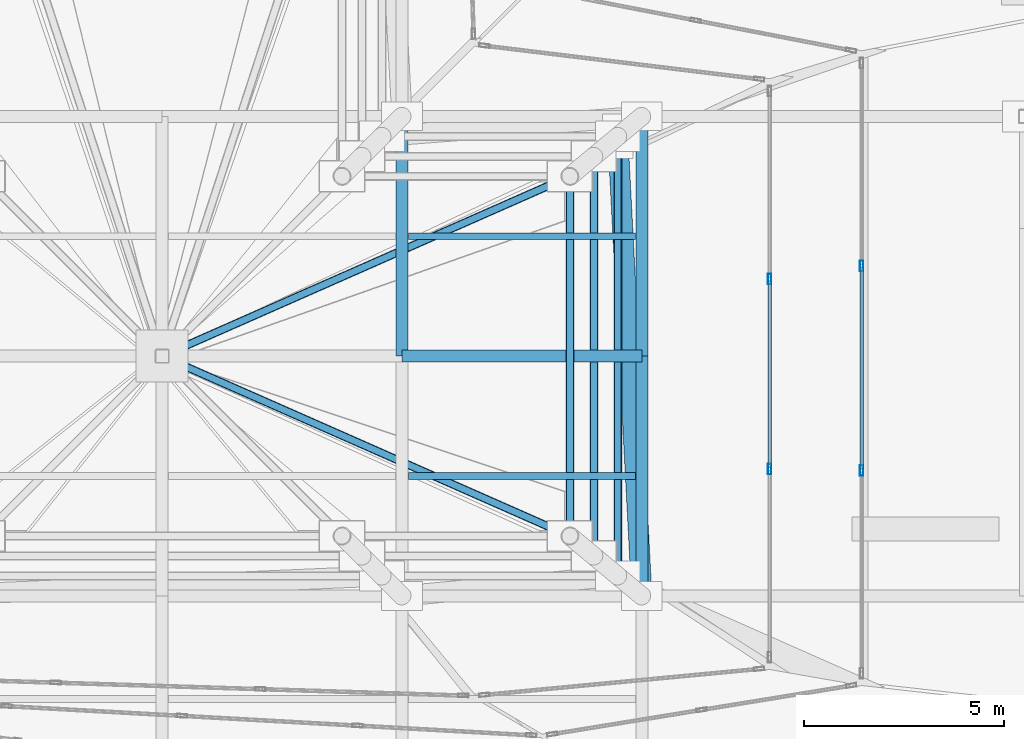
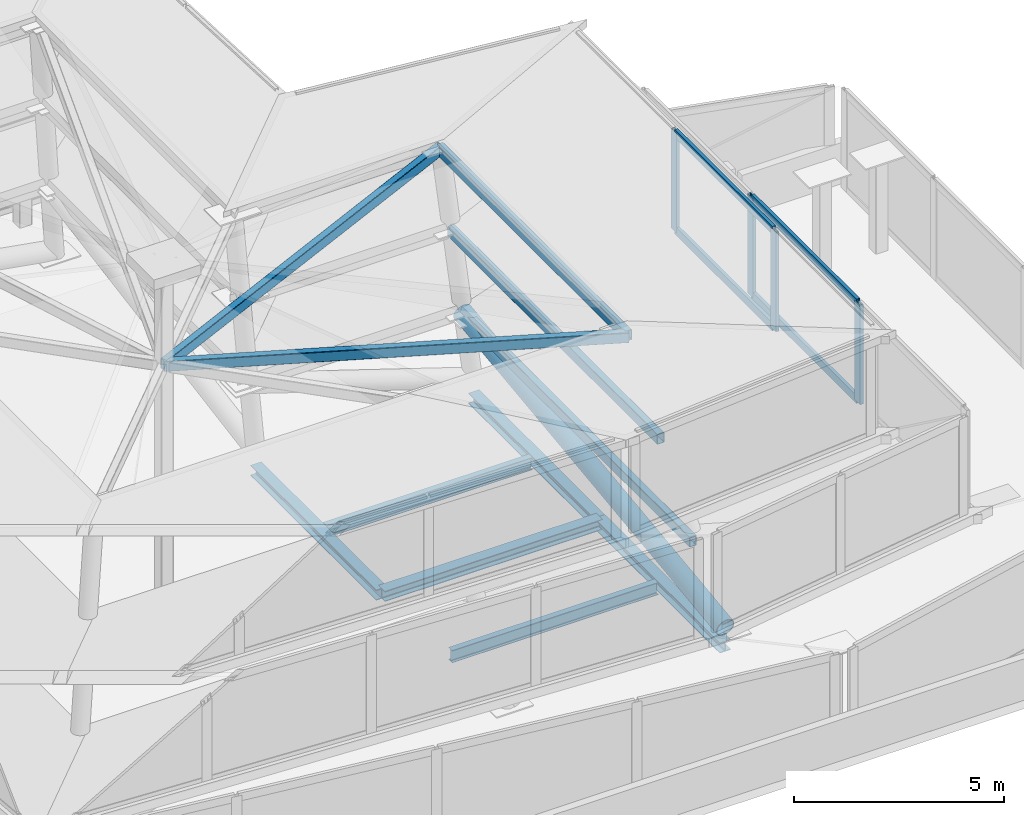
# One storey, part 5 of 15: 11 beams, 9 members, 2 elements without a shape of their own.
"""IFC4 building model written with IfcOpenShell, lengths in metres."""

import ifcopenshell
import ifcopenshell.guid

model = None  # the IFC model being written
_history = None  # IfcOwnerHistory: only IFC2X3 demands one
_inside = {}  # id of a spatial element -> (the spatial element, [elements in it])
_under = {}  # id of a project, library or spatial element -> (it, [spatial elements below it])
_declared = {}  # id of a project -> (the project, [libraries it declares])
_typed = {}  # id of a type object -> (the type object, [elements of that type])
_made_of = {}  # id of a material, layer set ... -> (it, [elements and type objects made of it])


def new_model(schema):
    """Start an empty IFC model of exactly this schema.

    Asked for "IFC4X3", IfcOpenShell would pick the latest addendum, in which some entities
    have other attributes; the version numbers below select the first issue.
    IFC2X3 requires an IfcOwnerHistory on every rooted entity: one is made here for all.
    """
    global model, _history
    if schema == "IFC4X3":
        model = ifcopenshell.file(schema_version=(4, 3, 0, 0))
    else:
        model = ifcopenshell.file(schema=schema)
    _inside.clear()
    _under.clear()
    _declared.clear()
    _typed.clear()
    _made_of.clear()
    _history = None
    if model.schema == "IFC2X3":
        org = make("IfcOrganization", Name="unknown")
        user = make(
            "IfcPersonAndOrganization",
            ThePerson=make("IfcPerson", FamilyName="unknown"),
            TheOrganization=org,
        )
        app = make(
            "IfcApplication",
            ApplicationDeveloper=org,
            Version="unknown",
            ApplicationFullName="unknown",
            ApplicationIdentifier="unknown",
        )
        _history = make(
            "IfcOwnerHistory",
            OwningUser=user,
            OwningApplication=app,
            ChangeAction="ADDED",
            CreationDate=0,
        )
    return model


def make(cls, **values):
    """One entity of the class cls with the attributes given. An attribute that is None is left unset."""
    return model.create_entity(
        cls, **{name: value for name, value in values.items() if value is not None}
    )


def rooted(cls, **values):
    """An entity with a GlobalId (a new one), such as an element, a storey or a relation."""
    return make(cls, GlobalId=ifcopenshell.guid.new(), OwnerHistory=_history, **values)


def si_unit(unit_type, name, prefix=None):
    """IfcSIUnit, for example si_unit("LENGTHUNIT", "METRE", prefix="MILLI")."""
    return make("IfcSIUnit", UnitType=unit_type, Prefix=prefix, Name=name)


def assignment(units):
    """IfcUnitAssignment: the units of a project."""
    return None if units is None else make("IfcUnitAssignment", Units=units)


def point(xyz):
    """IfcCartesianPoint."""
    return None if xyz is None else make("IfcCartesianPoint", Coordinates=xyz)


def direction(xyz):
    """IfcDirection."""
    return None if xyz is None else make("IfcDirection", DirectionRatios=xyz)


def frame(location, z_axis=None, x_axis=None):
    """IfcAxis2Placement3D, a coordinate frame: its origin and axes. An axis left out is left unset."""
    return make(
        "IfcAxis2Placement3D",
        Location=point(location),
        Axis=direction(z_axis),
        RefDirection=direction(x_axis),
    )


def frame_2d(location, x_axis=None):
    """IfcAxis2Placement2D, a coordinate frame in the plane: its origin and x axis."""
    return make(
        "IfcAxis2Placement2D", Location=point(location), RefDirection=direction(x_axis)
    )


def origin():
    """The frame at (0, 0, 0) with its axes left unset."""
    return frame((0.0, 0.0, 0.0))


def origin_2d():
    """The frame at (0, 0) in the plane with its x axis left unset."""
    return frame_2d((0.0, 0.0))


def place(relative_to, where):
    """IfcLocalPlacement: puts the frame where relative to a parent placement (None: the world)."""
    return make(
        "IfcLocalPlacement", PlacementRelTo=relative_to, RelativePlacement=where
    )


def context(
    kind, dimensions, precision=None, world=None, true_north=None, identifier=None
):
    """IfcGeometricRepresentationContext, for example the 3D "Model" context."""
    return make(
        "IfcGeometricRepresentationContext",
        ContextIdentifier=identifier,
        ContextType=kind,
        CoordinateSpaceDimension=dimensions,
        Precision=precision,
        WorldCoordinateSystem=world,
        TrueNorth=true_north,
    )


def subcontext(parent, identifier, kind, view, scale=None):
    """IfcGeometricRepresentationSubContext, for example "Body" below "Model"."""
    return make(
        "IfcGeometricRepresentationSubContext",
        ContextIdentifier=identifier,
        ContextType=kind,
        ParentContext=parent,
        TargetScale=scale,
        TargetView=view,
    )


def project(units=None, contexts=None):
    """IfcProject with its units and contexts."""
    return rooted(
        "IfcProject",
        Name="project",
        RepresentationContexts=contexts,
        UnitsInContext=assignment(units),
    )


def spatial(cls, under=None, at=None, **own):
    """A site, building, storey or space (cls), placed at a placement, below another one or the project."""
    s = rooted(cls, ObjectPlacement=at, **own)
    if under is not None:
        _under.setdefault(under.id(), (under, []))[1].append(s)
    return s


def profile(cls, at=None, kind="AREA", **sizes):
    """A parametric profile (cls). Its sizes go by their IFC names, for example OverallWidth=200.0."""
    return make(cls, ProfileType=kind, Position=at, **sizes)


def hollow_rectangle(**sizes):
    """IfcRectangleHollowProfileDef."""
    return profile("IfcRectangleHollowProfileDef", **sizes)


def hollow_circle(**sizes):
    """IfcCircleHollowProfileDef."""
    return profile("IfcCircleHollowProfileDef", **sizes)


def i_section(**sizes):
    """IfcIShapeProfileDef."""
    return profile("IfcIShapeProfileDef", **sizes)


def extrude(swept, where, along, depth):
    """IfcExtrudedAreaSolid: the profile swept, set in the frame where, extruded along a direction by depth."""
    return make(
        "IfcExtrudedAreaSolid",
        SweptArea=swept,
        Position=where,
        ExtrudedDirection=direction(along),
        Depth=depth,
    )


def shape(context_of_items, identifier, shape_type, items):
    """IfcShapeRepresentation: the items that make up one representation, for example the "Body"."""
    return make(
        "IfcShapeRepresentation",
        ContextOfItems=context_of_items,
        RepresentationIdentifier=identifier,
        RepresentationType=shape_type,
        Items=items,
    )


def material(Name=None, Category=None):
    """IfcMaterial."""
    return make("IfcMaterial", Name=Name, Category=Category)


def layer(
    of_material, thickness, ventilated=None, Name=None, Category=None, Priority=None
):
    """IfcMaterialLayer: one layer of a wall or slab, of a material (None: an air gap)."""
    return make(
        "IfcMaterialLayer",
        Material=of_material,
        LayerThickness=thickness,
        IsVentilated=ventilated,
        Name=Name,
        Category=Category,
        Priority=Priority,
    )


def layer_set(layers, Name=None):
    """IfcMaterialLayerSet."""
    return make("IfcMaterialLayerSet", MaterialLayers=layers, LayerSetName=Name)


def material_profile(
    of_material, cross_section, Name=None, Category=None, Priority=None
):
    """IfcMaterialProfile: a cross section and its material."""
    return make(
        "IfcMaterialProfile",
        Name=Name,
        Material=of_material,
        Profile=cross_section,
        Priority=Priority,
        Category=Category,
    )


def profile_set(profiles, Name=None, composite=None):
    """IfcMaterialProfileSet."""
    return make(
        "IfcMaterialProfileSet",
        Name=Name,
        MaterialProfiles=profiles,
        CompositeProfile=composite,
    )


def made_of(thing, what):
    """Note that an element or type object is made of a material, layer set ...; save() writes the relation."""
    if what is not None:
        _made_of.setdefault(what.id(), (what, []))[1].append(thing)
    return thing


def type_object(cls, material=None, **own):
    """A type object (cls), such as IfcWallType, which elements share."""
    return made_of(rooted(cls, **own), material)


def element(
    cls,
    number,
    at=None,
    inside=None,
    cuts=None,
    type_object=None,
    material=None,
    context=None,
    identifier="Body",
    shape_type=None,
    held_by="IfcProductDefinitionShape",
    body=None,
    shapes=None,
    **own,
):
    """One element of the class cls, such as IfcWall. Its Tag is "e" and its number.

    at: its placement. inside: the storey or other place that contains it. cuts: it is an
    opening in that element (IfcRelVoidsElement). A single representation is given by context,
    identifier, shape_type and body (its items); several are given by shapes. held_by: the class
    of the entity that holds the representations. save() writes the other relations.
    """
    e = rooted(cls, Tag="e%d" % number, ObjectPlacement=at, **own)
    if body is not None:
        shapes = [shape(context, identifier, shape_type, body)]
    if shapes is not None:
        e.Representation = make(held_by, Representations=shapes)
    if inside is not None:
        _inside.setdefault(inside.id(), (inside, []))[1].append(e)
    if cuts is not None:
        rooted(
            "IfcRelVoidsElement", RelatingBuildingElement=cuts, RelatedOpeningElement=e
        )
    if type_object is not None:
        _typed.setdefault(type_object.id(), (type_object, []))[1].append(e)
    return made_of(e, material)


def aggregate(whole, parts):
    """IfcRelAggregates: a whole, such as a stair, and the parts it consists of."""
    return rooted("IfcRelAggregates", RelatingObject=whole, RelatedObjects=parts)


def save(model, path):
    """Write the relations noted so far, then the file.

    IfcRelAggregates (storeys below a building ...), IfcRelContainedInSpatialStructure (elements
    in a storey), IfcRelDefinesByType, IfcRelAssociatesMaterial and IfcRelDeclares: one each for
    every whole, place, type object, material and project.
    """
    for whole, parts in _under.values():
        aggregate(whole, parts)
    for where, things in _inside.values():
        rooted(
            "IfcRelContainedInSpatialStructure",
            RelatedElements=things,
            RelatingStructure=where,
        )
    for kind, things in _typed.values():
        rooted("IfcRelDefinesByType", RelatedObjects=things, RelatingType=kind)
    for what, things in _made_of.values():
        rooted("IfcRelAssociatesMaterial", RelatedObjects=things, RelatingMaterial=what)
    for by, libraries in _declared.values():
        rooted("IfcRelDeclares", RelatingContext=by, RelatedDefinitions=libraries)
    model.write(path)


model = new_model("IFC4")

# Units and contexts
model_context = context("Model", 3, precision=1e-05, world=origin(), true_north=direction((0.0, 1.0)))
body_context = subcontext(model_context, "Body", "Model", "MODEL_VIEW")
ifc_project = project(units=[si_unit("LENGTHUNIT", "METRE"), si_unit("AREAUNIT", "SQUARE_METRE"), si_unit("VOLUMEUNIT", "CUBIC_METRE"), si_unit("PLANEANGLEUNIT", "RADIAN"), si_unit("MASSUNIT", "GRAM", prefix="KILO"), si_unit("THERMODYNAMICTEMPERATUREUNIT", "KELVIN"), si_unit("POWERUNIT", "WATT")], contexts=[model_context])

# Site, building, storey
site_placement = place(None, origin())
site = spatial("IfcSite", under=ifc_project, at=site_placement, CompositionType="ELEMENT")
building_placement = place(site_placement, origin())
building = spatial("IfcBuilding", under=site, at=building_placement, Name="Svarakhadi Broadcast Tower", CompositionType="ELEMENT")
storey_placement = place(building_placement, frame((0.0, 0.0, 310.5)))
storey = spatial("IfcBuildingStorey", under=building, at=storey_placement, Name="RF", CompositionType="ELEMENT", Elevation=310.5)

# Beams
ifc_material_1 = material(Name="Steel S355J2 (IS 2062 E350C)", Category="steel")
ifc_material_profile_1 = material_profile(ifc_material_1, i_section(OverallWidth=0.169921875, OverallDepth=0.360107421875, WebThickness=0.008056640625, FlangeThickness=0.0126953125, FilletRadius=0.01806640625, at=origin_2d()), Name="NPB 360x170x57")
ifc_profile_set_1 = profile_set([ifc_material_profile_1], Name="Steel S355J2 (IS 2062 E350C)")
beam_type_1 = type_object("IfcBeamType", Name="Beam_NPB360", PredefinedType="BEAM", material=ifc_profile_set_1)
for number, where, z_axis, x_axis, name in (
    (1, (18.159912109375, 9.0, -0.429931640625), (1.0, 0.0, 0.0), (0.0, 1.0, 0.0), "RF Secondary Composite Beam SB011"),
    (2, (18.159912109375, 15.0, -0.429931640625), (1.0, 0.0, 0.0), (0.0, 1.0, 0.0), "RF Secondary Composite Beam SB012"),
):
    element("IfcBeam", number, at=place(storey_placement, frame(where, z_axis=z_axis, x_axis=x_axis)), inside=storey, type_object=beam_type_1, Name=name, PredefinedType="BEAM", context=body_context, shape_type="SweptSolid", body=[
        extrude(i_section(OverallWidth=0.169921875, OverallDepth=0.360107421875, WebThickness=0.008056640625, FlangeThickness=0.0126953125, FilletRadius=0.01806640625, at=origin_2d()), origin(), (0.0, 0.0, 1.0), 5.68017578125),
    ])

# Curtain wall, members
ifc_material_2 = material(Name="Anodised Bronze Aluminium AA 6063-T6", Category="aluminium")
ifc_layer = layer(ifc_material_2, 0.260009765625)
ifc_layer_set = layer_set([ifc_layer], Name="Anodised Bronze Aluminium AA 6063-T6")
curtain_wall_type = type_object("IfcCurtainWallType", Name="CW_Sys_07", PredefinedType="NOTDEFINED", material=ifc_layer_set)
curtain_wall_1_placement = place(storey_placement, origin())
curtain_wall_1 = element("IfcCurtainWall", 3, at=curtain_wall_1_placement, inside=storey, type_object=curtain_wall_type, Name="Crown Tier 2 Faceted Curtain Wall 3", PredefinedType="NOTDEFINED")
ifc_material_profile_2 = material_profile(ifc_material_2, hollow_rectangle(XDim=0.090087890625, YDim=0.260009765625, WallThickness=0.005615234375, at=origin_2d()), Name="ALU MULLION 260x90x6")
ifc_profile_set_2 = profile_set([ifc_material_profile_2], Name="Anodised Bronze Aluminium AA 6063-T6")
member_type_1 = type_object("IfcMemberType", Name="CW_Sys_07_Mul", PredefinedType="MULLION", material=ifc_profile_set_2)
member_1_placement = place(storey_placement, frame((29.5, 9.139892578125, 2.89990234375), z_axis=(0.0, 0.0, 1.0), x_axis=(-1.0, 0.0, 0.0)))
member_1 = element("IfcMember", 4, at=member_1_placement, type_object=member_type_1, Name="CW-07 mullion 2", PredefinedType="MULLION", context=body_context, shape_type="SweptSolid", body=[
    extrude(hollow_rectangle(XDim=0.090087890625, YDim=0.260009765625, WallThickness=0.005615234375, at=origin_2d()), origin(), (0.0, 0.0, 1.0), 2.900146484375),
])
member_2_placement = place(storey_placement, frame((29.5, 14.260009765625, 2.89990234375), z_axis=(0.0, 0.0, 1.0), x_axis=(-1.0, 0.0, 0.0)))
member_2 = element("IfcMember", 5, at=member_2_placement, type_object=member_type_1, Name="CW-07 mullion 3", PredefinedType="MULLION", context=body_context, shape_type="SweptSolid", body=[
    extrude(hollow_rectangle(XDim=0.090087890625, YDim=0.260009765625, WallThickness=0.005615234375, at=origin_2d()), origin(), (0.0, 0.0, 1.0), 2.900146484375),
])

curtain_wall_2_placement = place(storey_placement, origin())
curtain_wall_2 = element("IfcCurtainWall", 6, at=curtain_wall_2_placement, inside=storey, type_object=curtain_wall_type, Name="Crown Tier 3 Faceted Curtain Wall 3", PredefinedType="NOTDEFINED")
member_3_placement = place(storey_placement, frame((27.199951171875, 9.17333984375, 5.800048828125), z_axis=(0.0, 0.0, 1.0), x_axis=(-1.0, 0.0, 0.0)))
member_3 = element("IfcMember", 7, at=member_3_placement, type_object=member_type_1, Name="CW-07 mullion 2", PredefinedType="MULLION", context=body_context, shape_type="SweptSolid", body=[
    extrude(hollow_rectangle(XDim=0.090087890625, YDim=0.260009765625, WallThickness=0.005615234375, at=origin_2d()), origin(), (0.0, 0.0, 1.0), 2.89990234375),
])
member_4_placement = place(storey_placement, frame((27.199951171875, 13.9267578125, 5.800048828125), z_axis=(0.0, 0.0, 1.0), x_axis=(-1.0, 0.0, 0.0)))
member_4 = element("IfcMember", 8, at=member_4_placement, type_object=member_type_1, Name="CW-07 mullion 3", PredefinedType="MULLION", context=body_context, shape_type="SweptSolid", body=[
    extrude(hollow_rectangle(XDim=0.090087890625, YDim=0.260009765625, WallThickness=0.005615234375, at=origin_2d()), origin(), (0.0, 0.0, 1.0), 2.89990234375),
])

# Member
ifc_material_profile_3 = material_profile(ifc_material_2, hollow_rectangle(XDim=0.090087890625, YDim=0.22998046875, WallThickness=0.0048828125, at=origin_2d()), Name="ALU TRANSOM 230x90x5")
ifc_profile_set_3 = profile_set([ifc_material_profile_3], Name="Anodised Bronze Aluminium AA 6063-T6")
member_type_2 = type_object("IfcMemberType", Name="CW_Sys_07_Trn", PredefinedType="USERDEFINED", material=ifc_profile_set_3)
member_5_placement = place(storey_placement, frame((29.5, 9.18505859375, 2.945068359375), z_axis=(0.0, 1.0, 0.0), x_axis=(-1.0, 0.0, 0.0)))
member_5 = element("IfcMember", 9, at=member_5_placement, type_object=member_type_2, Name="CW-07 transom 2.1", ObjectType="TRANSOM", PredefinedType="USERDEFINED", context=body_context, shape_type="SweptSolid", body=[
    extrude(hollow_rectangle(XDim=0.090087890625, YDim=0.22998046875, WallThickness=0.0048828125, at=origin_2d()), origin(), (0.0, 0.0, 1.0), 5.030029296875),
])

member_6_placement = place(storey_placement, frame((29.5, 9.18505859375, 5.7548828125), z_axis=(0.0, 1.0, 0.0), x_axis=(-1.0, 0.0, 0.0)))
member_6 = element("IfcMember", 10, at=member_6_placement, type_object=member_type_2, Name="CW-07 transom 2.2", ObjectType="TRANSOM", PredefinedType="USERDEFINED", context=body_context, shape_type="SweptSolid", body=[
    extrude(hollow_rectangle(XDim=0.090087890625, YDim=0.22998046875, WallThickness=0.0048828125, at=origin_2d()), origin(), (0.0, 0.0, 1.0), 5.030029296875),
])

aggregate(curtain_wall_1, [member_1, member_2, member_5, member_6])

member_7_placement = place(storey_placement, frame((27.199951171875, 9.21826171875, 5.844970703125), z_axis=(0.0, 1.0, 0.0), x_axis=(-1.0, 0.0, 0.0)))
member_7 = element("IfcMember", 11, at=member_7_placement, type_object=member_type_2, Name="CW-07 transom 2.1", ObjectType="TRANSOM", PredefinedType="USERDEFINED", context=body_context, shape_type="SweptSolid", body=[
    extrude(hollow_rectangle(XDim=0.090087890625, YDim=0.22998046875, WallThickness=0.0048828125, at=origin_2d()), origin(), (0.0, 0.0, 1.0), 4.663330078125),
])

member_8_placement = place(storey_placement, frame((27.199951171875, 9.21826171875, 8.655029296875), z_axis=(0.0, 1.0, 0.0), x_axis=(-1.0, 0.0, 0.0)))
member_8 = element("IfcMember", 12, at=member_8_placement, type_object=member_type_2, Name="CW-07 transom 2.2", ObjectType="TRANSOM", PredefinedType="USERDEFINED", context=body_context, shape_type="SweptSolid", body=[
    extrude(hollow_rectangle(XDim=0.090087890625, YDim=0.22998046875, WallThickness=0.0048828125, at=origin_2d()), origin(), (0.0, 0.0, 1.0), 4.663330078125),
])

aggregate(curtain_wall_2, [member_3, member_4, member_7, member_8])

ifc_material_3 = material(Name="Steel S460ML (IS 2062 E450BR)", Category="steel")
ifc_material_profile_4 = material_profile(ifc_material_3, hollow_circle(Radius=0.25390625, WallThickness=0.02490234375, at=origin_2d()), Name="CHS 508x25")
ifc_profile_set_4 = profile_set([ifc_material_profile_4], Name="Steel S460ML (IS 2062 E450BR)")
member_type_3 = type_object("IfcMemberType", Name="Exo_Brace_CHS508", PredefinedType="BRACE", material=ifc_profile_set_4)
member_9_placement = place(storey_placement, frame((24.0, 6.0, 0.14990234375), z_axis=(-0.050997429483, 0.977291667361, 0.205670267887), x_axis=(-0.998641272546, -0.052111503225, 0.0)))
element("IfcMember", 13, at=member_9_placement, inside=storey, type_object=member_type_3, Name="Crown Tier 1 Diagonal Brace EX-05-03", PredefinedType="BRACE", context=body_context, shape_type="SweptSolid", body=[
    extrude(hollow_circle(Radius=0.25390625, WallThickness=0.02490234375, at=origin_2d()), origin(), (0.0, 0.0, 1.0), 11.767333984375),
])

# Beams
ifc_material_profile_5 = material_profile(ifc_material_1, i_section(OverallWidth=0.300048828125, OverallDepth=0.300048828125, WebThickness=0.010986328125, FlangeThickness=0.01904296875, FilletRadius=0.027099609375, at=origin_2d()), Name="WPB 300x300x117")
ifc_profile_set_5 = profile_set([ifc_material_profile_5], Name="Steel S355J2 (IS 2062 E350C)")
beam_type_2 = type_object("IfcBeamType", Name="Girder_WPB300", PredefinedType="USERDEFINED", material=ifc_profile_set_5)
for number, where, z_axis, x_axis, name in (
    (14, (18.0, 12.0, -0.39990234375), (1.0, 0.0, 0.0), (0.0, 1.0, 0.0), "RF Primary E-W Girder G016"),
    (15, (18.0, 12.0, -0.39990234375), (0.0, 1.0, 0.0), (-1.0, 0.0, 0.0), "RF Primary N-S Girder G038"),
    (16, (24.0, 6.0, -0.39990234375), (0.0, 1.0, 0.0), (-1.0, 0.0, 0.0), "RF Primary N-S Girder G041"),
    (17, (24.0, 12.0, -0.39990234375), (0.0, 1.0, 0.0), (-1.0, 0.0, 0.0), "RF Primary N-S Girder G042"),
):
    element("IfcBeam", number, at=place(storey_placement, frame(where, z_axis=z_axis, x_axis=x_axis)), inside=storey, type_object=beam_type_2, Name=name, ObjectType="GIRDER", PredefinedType="USERDEFINED", context=body_context, shape_type="SweptSolid", body=[
        extrude(i_section(OverallWidth=0.300048828125, OverallDepth=0.300048828125, WebThickness=0.010986328125, FlangeThickness=0.01904296875, FilletRadius=0.027099609375, at=origin_2d()), origin(), (0.0, 0.0, 1.0), 6.0),
    ])
ifc_material_profile_6 = material_profile(ifc_material_3, hollow_rectangle(XDim=0.199951171875, YDim=0.300048828125, WallThickness=0.012451171875, InnerFilletRadius=0.012451171875, OuterFilletRadius=0.02490234375, at=origin_2d()), Name="RHS 300x200x12.5")
ifc_profile_set_6 = profile_set([ifc_material_profile_6], Name="Steel S460ML (IS 2062 E450BR)")
beam_type_3 = type_object("IfcBeamType", Name="Spandrel_RHS300", PredefinedType="SPANDREL", material=ifc_profile_set_6)
beam_1_placement = place(storey_placement, frame((23.39990234375, 6.5, 2.570068359375), z_axis=(0.0, 1.0, 0.0), x_axis=(-1.0, 0.0, 0.0)))
element("IfcBeam", 18, at=beam_1_placement, inside=storey, type_object=beam_type_3, Name="Crown Tier 1 Stiffening Ring Beam CR-R1-3", PredefinedType="SPANDREL", context=body_context, shape_type="SweptSolid", body=[
    extrude(hollow_rectangle(XDim=0.199951171875, YDim=0.300048828125, WallThickness=0.012451171875, InnerFilletRadius=0.012451171875, OuterFilletRadius=0.02490234375, at=origin_2d()), origin(), (0.0, 0.0, 1.0), 11.0),
])
beam_2_placement = place(storey_placement, frame((22.800048828125, 7.0, 5.469970703125), z_axis=(0.0, 1.0, 0.0), x_axis=(-1.0, 0.0, 0.0)))
element("IfcBeam", 19, at=beam_2_placement, inside=storey, type_object=beam_type_3, Name="Crown Tier 2 Stiffening Ring Beam CR-R2-3", PredefinedType="SPANDREL", context=body_context, shape_type="SweptSolid", body=[
    extrude(hollow_rectangle(XDim=0.199951171875, YDim=0.300048828125, WallThickness=0.012451171875, InnerFilletRadius=0.012451171875, OuterFilletRadius=0.02490234375, at=origin_2d()), origin(), (0.0, 0.0, 1.0), 10.0),
])
beam_3_placement = place(storey_placement, frame((22.199951171875, 7.5, 8.3701171875), z_axis=(0.0, 1.0, 0.0), x_axis=(-1.0, 0.0, 0.0)))
element("IfcBeam", 20, at=beam_3_placement, inside=storey, type_object=beam_type_3, Name="Crown Tier 3 Stiffening Ring Beam CR-R3-3", PredefinedType="SPANDREL", context=body_context, shape_type="SweptSolid", body=[
    extrude(hollow_rectangle(XDim=0.199951171875, YDim=0.300048828125, WallThickness=0.012451171875, InnerFilletRadius=0.012451171875, OuterFilletRadius=0.02490234375, at=origin_2d()), origin(), (0.0, 0.0, 1.0), 9.0),
])
for number, where, z_axis, x_axis, name in (
    (21, (22.199951171875, 7.5, 8.3701171875), (-0.914917087992, 0.403641824023, 0.0), (-0.403641824023, -0.914917087992, 0.0), "Crown Tier 3 Radial Spoke Beam CR-SP03"),
    (22, (22.199951171875, 16.5, 8.3701171875), (-0.914917087992, -0.403641824023, 0.0), (0.403641824023, -0.914917087992, 0.0), "Crown Tier 3 Radial Spoke Beam CR-SP04"),
):
    element("IfcBeam", number, at=place(storey_placement, frame(where, z_axis=z_axis, x_axis=x_axis)), inside=storey, type_object=beam_type_3, Name=name, PredefinedType="SPANDREL", context=body_context, shape_type="SweptSolid", body=[
        extrude(hollow_rectangle(XDim=0.199951171875, YDim=0.300048828125, WallThickness=0.012451171875, InnerFilletRadius=0.012451171875, OuterFilletRadius=0.02490234375, at=origin_2d()), origin(), (0.0, 0.0, 1.0), 11.1484375),
    ])

save(model, "model.ifc")
